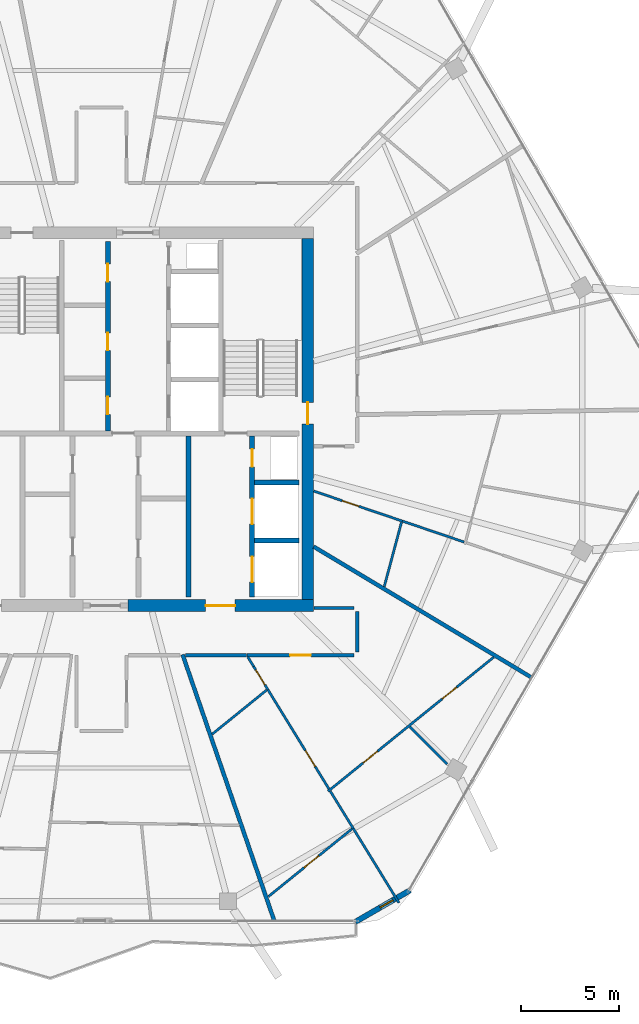
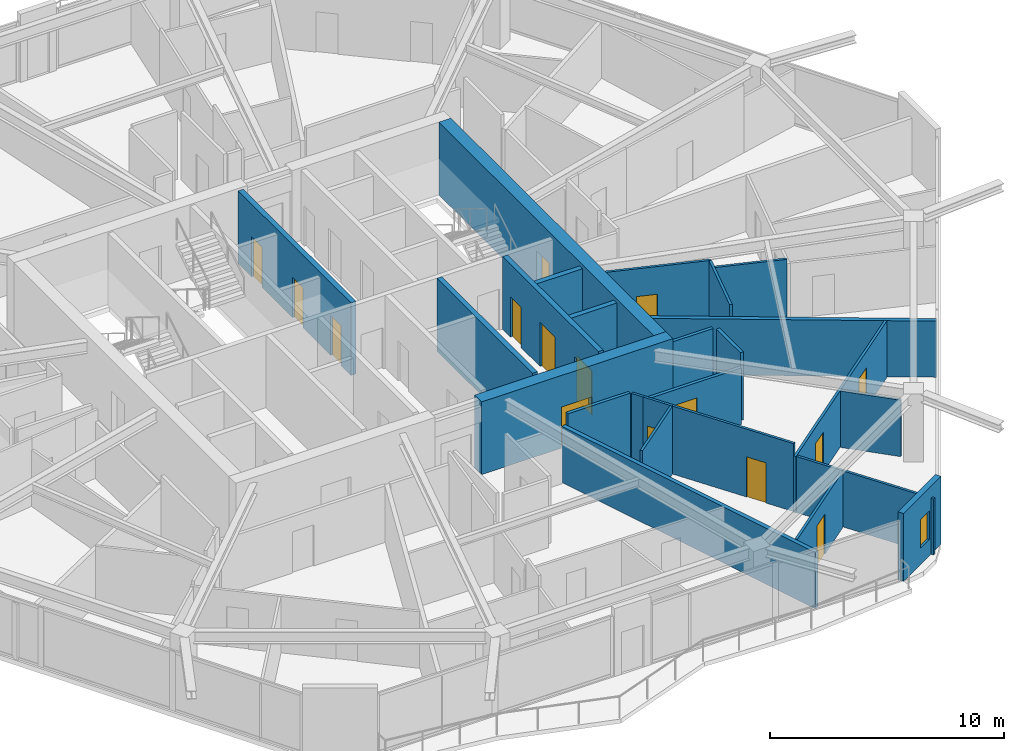
# One storey, part 21 of 26: 26 walls, 15 doors, 1 window, 16 openings.
"""IFC4 building model written with IfcOpenShell, lengths in metres."""

from ifc_helpers import new_model, si_unit, direction, frame, frame_2d, origin, place, context, subcontext, project, spatial, rectangle, extrude, material, layer, layer_set, type_object, element, fill, save


model = new_model("IFC4")

# Units and contexts
model_context = context("Model", 3, precision=1e-05, world=origin(), true_north=direction((0.0, 1.0)))
body_context = subcontext(model_context, "Body", "Model", "MODEL_VIEW")
ifc_project = project(units=[si_unit("LENGTHUNIT", "METRE"), si_unit("AREAUNIT", "SQUARE_METRE"), si_unit("VOLUMEUNIT", "CUBIC_METRE"), si_unit("PLANEANGLEUNIT", "RADIAN"), si_unit("MASSUNIT", "GRAM", prefix="KILO")], contexts=[model_context])

# Site, building, storey
site_placement = place(None, origin())
site = spatial("IfcSite", under=ifc_project, at=site_placement, CompositionType="ELEMENT")
building_placement = place(site_placement, origin())
building = spatial("IfcBuilding", under=site, at=building_placement, Name="Zuhravey Tower", CompositionType="ELEMENT")
storey_placement = place(building_placement, frame((0.0, 0.0, 288.199951171875)))
storey = spatial("IfcBuildingStorey", under=building, at=storey_placement, Name="L73", CompositionType="ELEMENT", Elevation=288.199951171875)

# Wall, opening, door
ifc_material_1 = material(Name="Concrete C50/60", Category="concrete")
ifc_layer_1 = layer(ifc_material_1, 0.60009765625)
ifc_layer_set_1 = layer_set([ifc_layer_1], Name="Concrete C50/60")
wall_type_1 = type_object("IfcWallType", Name="Core Shear Wall 600", PredefinedType="SHEAR", material=ifc_layer_set_1)
wall_1_placement = place(storey_placement, frame((37.35009765625, 22.5, 0.0), z_axis=(0.0, 0.0, 1.0), x_axis=(1.0, 0.0, 0.0)))
wall_1 = element("IfcWall", 1, at=wall_1_placement, inside=storey, type_object=wall_type_1, Name="L73 South-East Core Shear Wall CW60", PredefinedType="SHEAR", context=body_context, shape_type="SweptSolid", body=[
    extrude(rectangle(XDim=9.449951171875, YDim=0.60009765625, at=frame_2d((4.72509765625, 0.0))), origin(), (0.0, 0.0, 1.0), 3.800048828125),
])
opening_1_placement = place(wall_1_placement, frame((3.949951171875, 0.0, 0.0)))
opening_1 = element("IfcOpeningElement", 2, at=opening_1_placement, cuts=wall_1, Name="Opening FFD1", PredefinedType="OPENING", context=body_context, shape_type="SweptSolid", body=[
    extrude(rectangle(XDim=1.5, YDim=2.14990234375, at=frame_2d((0.75, 1.074951171875))), frame((0.0, 0.31201171875, 0.0), z_axis=(0.0, -1.0, 0.0), x_axis=(1.0, 0.0, 0.0)), (0.0, 0.0, 1.0), 0.6240234375),
])
ifc_material_2 = material(Name="Galvanised fire-rated steel leaf", Category="steel")
door_type_1 = type_object("IfcDoorType", Name="Firefighting Lobby Double Door 1500x2150", OperationType="DOUBLE_DOOR_SINGLE_SWING", PredefinedType="DOOR", material=ifc_material_2)
door_1_placement = place(opening_1_placement, origin())
door_1 = element("IfcDoor", 3, at=door_1_placement, inside=storey, type_object=door_type_1, Name="L73 Firefighting Lobby East Door", OperationType="DOUBLE_DOOR_SINGLE_SWING", OverallHeight=2.14990234375, OverallWidth=1.5, PredefinedType="DOOR", context=body_context, shape_type="SweptSolid", body=[
    extrude(rectangle(XDim=1.5, YDim=2.14990234375, at=frame_2d((0.75, 1.074951171875))), frame((0.0, 0.02490234375, 0.0), z_axis=(0.0, -1.0, 0.0), x_axis=(1.0, 0.0, 0.0)), (0.0, 0.0, 1.0), 0.050048828125),
])
fill(opening_1, door_1)

wall_2_placement = place(storey_placement, frame((46.5, 22.800048828125, 0.0), z_axis=(0.0, 0.0, 1.0), x_axis=(0.0, 1.0, 0.0)))
wall_2 = element("IfcWall", 4, at=wall_2_placement, inside=storey, type_object=wall_type_1, Name="L73 East Core Shear Wall CW60", PredefinedType="SHEAR", context=body_context, shape_type="SweptSolid", body=[
    extrude(rectangle(XDim=18.39990234375, YDim=0.60009765625, at=frame_2d((9.199951171875, 0.0))), origin(), (0.0, 0.0, 1.0), 3.800048828125),
])
opening_2_placement = place(wall_2_placement, frame((8.949951171875, 0.0, 0.0)))
opening_2 = element("IfcOpeningElement", 5, at=opening_2_placement, cuts=wall_2, Name="Opening STD1", PredefinedType="OPENING", context=body_context, shape_type="SweptSolid", body=[
    extrude(rectangle(XDim=1.10009765625, YDim=2.14990234375, at=frame_2d((0.550048828125, 1.074951171875))), frame((0.0, 0.31201171875, 0.0), z_axis=(0.0, -1.0, 0.0), x_axis=(1.0, 0.0, 0.0)), (0.0, 0.0, 1.0), 0.6240234375),
])
door_type_2 = type_object("IfcDoorType", Name="Protected Stair Fire Door 1100x2150", OperationType="NOTDEFINED", PredefinedType="USERDEFINED", material=ifc_material_2)
door_2_placement = place(opening_2_placement, origin())
door_2 = element("IfcDoor", 6, at=door_2_placement, inside=storey, type_object=door_type_2, Name="L73 Stair ST2 Door", ObjectType="EXITDOOR", OperationType="SINGLE_SWING_RIGHT", OverallHeight=2.14990234375, OverallWidth=1.10009765625, PredefinedType="USERDEFINED", context=body_context, shape_type="SweptSolid", body=[
    extrude(rectangle(XDim=1.10009765625, YDim=2.14990234375, at=frame_2d((0.550048828125, 1.074951171875))), frame((0.0, 0.02490234375, 0.0), z_axis=(0.0, -1.0, 0.0), x_axis=(1.0, 0.0, 0.0)), (0.0, 0.0, 1.0), 0.050048828125),
])
fill(opening_2, door_2)

ifc_material_3 = material(Name="Gypsum fire-rated stud partition")
ifc_layer_2 = layer(ifc_material_3, 0.159912109375)
ifc_layer_set_2 = layer_set([ifc_layer_2], Name="Gypsum fire-rated stud partition")
wall_type_2 = type_object("IfcWallType", Name="Corridor Fire Partition 160", PredefinedType="PARTITIONING", material=ifc_layer_set_2)
wall_3_placement = place(storey_placement, frame((43.42138671875, 19.969970703125, 0.0), z_axis=(0.0, 0.0, 1.0), x_axis=(1.0, 0.0, 0.0)))
wall_3 = element("IfcWall", 7, at=wall_3_placement, inside=storey, type_object=wall_type_2, Name="L73 IW16 Partition 042", PredefinedType="PARTITIONING", context=body_context, shape_type="SweptSolid", body=[
    extrude(rectangle(XDim=5.4287109375, YDim=0.159912109375, at=frame_2d((2.71435546875, 0.0))), origin(), (0.0, 0.0, 1.0), 2.949951171875),
])
opening_3_placement = place(wall_3_placement, frame((2.189208984375, 0.0, 0.0)))
opening_3 = element("IfcOpeningElement", 8, at=opening_3_placement, cuts=wall_3, Name="Opening APD1", PredefinedType="OPENING", context=body_context, shape_type="SweptSolid", body=[
    extrude(rectangle(XDim=1.050048828125, YDim=2.14990234375, at=frame_2d((0.52490234375, 1.074951171875))), frame((0.0, 0.092041015625, 0.0), z_axis=(0.0, -1.0, 0.0), x_axis=(1.0, 0.0, 0.0)), (0.0, 0.0, 1.0), 0.183837890625),
])
ifc_material_4 = material(Name="Solid-core oak fire-rated leaf")
door_type_3 = type_object("IfcDoorType", Name="Apartment Entrance Fire Door 1050x2150", OperationType="NOTDEFINED", PredefinedType="DOOR", material=ifc_material_4)
door_3_placement = place(opening_3_placement, frame((1.050048828125, 0.0, 0.0), z_axis=(0.0, 0.0, 1.0), x_axis=(-1.0, 0.0, 0.0)))
door_3 = element("IfcDoor", 9, at=door_3_placement, inside=storey, type_object=door_type_3, Name="L73 Door 042.1", OperationType="SINGLE_SWING_LEFT", OverallHeight=2.14990234375, OverallWidth=1.050048828125, PredefinedType="DOOR", context=body_context, shape_type="SweptSolid", body=[
    extrude(rectangle(XDim=1.050048828125, YDim=2.14990234375, at=frame_2d((0.52490234375, 1.074951171875))), frame((0.0, 0.02490234375, 0.0), z_axis=(0.0, -1.0, 0.0), x_axis=(1.0, 0.0, 0.0)), (0.0, 0.0, 1.0), 0.050048828125),
])
fill(opening_3, door_3)

# Walls
wall_4_placement = place(storey_placement, frame((49.030029296875, 20.14990234375, 0.0), z_axis=(0.0, 0.0, 1.0), x_axis=(0.0, 1.0, 0.0)))
element("IfcWall", 10, at=wall_4_placement, inside=storey, type_object=wall_type_2, Name="L73 IW16 Partition 119", PredefinedType="PARTITIONING", context=body_context, shape_type="SweptSolid", body=[
    extrude(rectangle(XDim=2.050048828125, YDim=0.159912109375, at=frame_2d((1.02490234375, 0.0))), origin(), (0.0, 0.0, 1.0), 3.550048828125),
])
wall_5_placement = place(storey_placement, frame((48.85009765625, 22.3798828125, 0.0), z_axis=(0.0, 0.0, 1.0), x_axis=(-1.0, 0.0, 0.0)))
element("IfcWall", 11, at=wall_5_placement, inside=storey, type_object=wall_type_2, Name="L73 IW16 Partition 120", PredefinedType="PARTITIONING", context=body_context, shape_type="SweptSolid", body=[
    extrude(rectangle(XDim=2.030029296875, YDim=0.159912109375, at=frame_2d((1.01513671875, 0.0))), origin(), (0.0, 0.0, 1.0), 3.550048828125),
])
wall_6_placement = place(storey_placement, frame((40.28125, 19.969970703125, 0.0), z_axis=(0.0, 0.0, 1.0), x_axis=(1.0, 0.0, 0.0)))
element("IfcWall", 12, at=wall_6_placement, inside=storey, type_object=wall_type_2, Name="L73 IW16 Partition 121", PredefinedType="PARTITIONING", context=body_context, shape_type="SweptSolid", body=[
    extrude(rectangle(XDim=3.09326171875, YDim=0.159912109375, at=frame_2d((1.546630859375, 0.0))), origin(), (0.0, 0.0, 1.0), 3.550048828125),
])

# Wall, opening, window
ifc_material_5 = material(Name="Precast concrete C40/50", Category="concrete")
ifc_layer_3 = layer(ifc_material_5, 0.280029296875)
ifc_layer_set_3 = layer_set([ifc_layer_3], Name="Precast concrete C40/50")
wall_type_3 = type_object("IfcWallType", Name="Crown Architectural Wall 280", PredefinedType="SOLIDWALL", material=ifc_layer_set_3)
wall_7_placement = place(storey_placement, frame((51.714599609375, 7.996337890625, 0.0), z_axis=(0.0, 0.0, 1.0), x_axis=(-0.866028773314, -0.499994163758, 0.0)))
wall_7 = element("IfcWall", 13, at=wall_7_placement, inside=storey, type_object=wall_type_3, Name="L73 Rounded Corner Closure Wall EW28-02", PredefinedType="SOLIDWALL", context=body_context, shape_type="SweptSolid", body=[
    extrude(rectangle(XDim=3.21484375, YDim=0.280029296875, at=frame_2d((1.607421875, 0.0))), origin(), (0.0, 0.0, 1.0), 3.550048828125),
])
opening_4_placement = place(wall_7_placement, frame((1.002685546875, 0.0, 0.85009765625)))
opening_4 = element("IfcOpeningElement", 14, at=opening_4_placement, cuts=wall_7, Name="Opening WN5", PredefinedType="OPENING", context=body_context, shape_type="SweptSolid", body=[
    extrude(rectangle(XDim=0.75, YDim=1.5, at=frame_2d((0.375, 0.75))), frame((0.0, 0.152099609375, 0.0), z_axis=(0.0, -1.0, 0.0), x_axis=(1.0, 0.0, 0.0)), (0.0, 0.0, 1.0), 0.303955078125),
])
ifc_material_6 = material(Name="Thermally broken aluminium and triple low-E glass", Category="aluminium")
window_type = type_object("IfcWindowType", Name="Residential Corner Casement Window 750x1500", PartitioningType="SINGLE_PANEL", PredefinedType="WINDOW", material=ifc_material_6)
window_placement = place(opening_4_placement, origin())
window = element("IfcWindow", 15, at=window_placement, inside=storey, type_object=window_type, Name="L73 Corner Casement Window WN5-02.1", OverallHeight=1.5, OverallWidth=0.75, PartitioningType="SINGLE_PANEL", PredefinedType="WINDOW", context=body_context, shape_type="SweptSolid", body=[
    extrude(rectangle(XDim=0.75, YDim=1.5, at=frame_2d((0.375, 0.75))), frame((0.0, 0.030029296875, 0.0), z_axis=(0.0, -1.0, 0.0), x_axis=(1.0, 0.0, 0.0)), (0.0, 0.0, 1.0), 0.06005859375),
])
fill(opening_4, window)

# Wall, openings, doors
ifc_layer_4 = layer(ifc_material_1, 0.25)
ifc_layer_set_4 = layer_set([ifc_layer_4], Name="Concrete C50/60")
wall_type_4 = type_object("IfcWallType", Name="Firefighting Shaft & Stair Wall 250", PredefinedType="SOLIDWALL", material=ifc_layer_set_4)
wall_8_placement = place(storey_placement, frame((36.324951171875, 31.39990234375, 0.0), z_axis=(0.0, 0.0, 1.0), x_axis=(0.0, 1.0, 0.0)))
wall_8 = element("IfcWall", 16, at=wall_8_placement, inside=storey, type_object=wall_type_4, Name="L73 FW25 Shaft Wall 007", PredefinedType="SOLIDWALL", context=body_context, shape_type="SweptSolid", body=[
    extrude(rectangle(XDim=9.650146484375, YDim=0.25, at=frame_2d((4.8251953125, 0.0))), origin(), (0.0, 0.0, 1.0), 3.800048828125),
])
opening_5_placement = place(wall_8_placement, frame((0.840087890625, 0.0, 0.0)))
opening_5 = element("IfcOpeningElement", 17, at=opening_5_placement, cuts=wall_8, Name="Opening RSD1", PredefinedType="OPENING", context=body_context, shape_type="SweptSolid", body=[
    extrude(rectangle(XDim=0.89990234375, YDim=2.10009765625, at=frame_2d((0.449951171875, 1.050048828125))), frame((0.0, 0.136962890625, 0.0), z_axis=(0.0, -1.0, 0.0), x_axis=(1.0, 0.0, 0.0)), (0.0, 0.0, 1.0), 0.27392578125),
])
opening_6_placement = place(wall_8_placement, frame((4.10009765625, 0.0, 0.0)))
opening_6 = element("IfcOpeningElement", 18, at=opening_6_placement, cuts=wall_8, Name="Opening RSD1", PredefinedType="OPENING", context=body_context, shape_type="SweptSolid", body=[
    extrude(rectangle(XDim=0.89990234375, YDim=2.10009765625, at=frame_2d((0.449951171875, 1.050048828125))), frame((0.0, 0.136962890625, 0.0), z_axis=(0.0, -1.0, 0.0), x_axis=(1.0, 0.0, 0.0)), (0.0, 0.0, 1.0), 0.27392578125),
])
opening_7_placement = place(wall_8_placement, frame((7.610107421875, 0.0, 0.0)))
opening_7 = element("IfcOpeningElement", 19, at=opening_7_placement, cuts=wall_8, Name="Opening RSD1", PredefinedType="OPENING", context=body_context, shape_type="SweptSolid", body=[
    extrude(rectangle(XDim=0.89990234375, YDim=2.10009765625, at=frame_2d((0.449951171875, 1.050048828125))), frame((0.0, 0.136962890625, 0.0), z_axis=(0.0, -1.0, 0.0), x_axis=(1.0, 0.0, 0.0)), (0.0, 0.0, 1.0), 0.27392578125),
])
ifc_material_7 = material(Name="Galvanised fire-rated steel access leaf", Category="steel")
door_type_4 = type_object("IfcDoorType", Name="Riser & Shaft Access Fire Door 900x2100", OperationType="NOTDEFINED", PredefinedType="DOOR", material=ifc_material_7)
door_4_placement = place(opening_5_placement, origin())
door_4 = element("IfcDoor", 20, at=door_4_placement, inside=storey, type_object=door_type_4, Name="L73 Core Staff WC Door", OperationType="SINGLE_SWING_LEFT", OverallHeight=2.10009765625, OverallWidth=0.89990234375, PredefinedType="DOOR", context=body_context, shape_type="SweptSolid", body=[
    extrude(rectangle(XDim=0.89990234375, YDim=2.10009765625, at=frame_2d((0.449951171875, 1.050048828125))), frame((0.0, 0.02490234375, 0.0), z_axis=(0.0, -1.0, 0.0), x_axis=(1.0, 0.0, 0.0)), (0.0, 0.0, 1.0), 0.050048828125),
])
fill(opening_5, door_4)
door_5_placement = place(opening_6_placement, origin())
door_5 = element("IfcDoor", 21, at=door_5_placement, inside=storey, type_object=door_type_4, Name="L73 IT and Comms Room Door", OperationType="SINGLE_SWING_RIGHT", OverallHeight=2.10009765625, OverallWidth=0.89990234375, PredefinedType="DOOR", context=body_context, shape_type="SweptSolid", body=[
    extrude(rectangle(XDim=0.89990234375, YDim=2.10009765625, at=frame_2d((0.449951171875, 1.050048828125))), frame((0.0, 0.02490234375, 0.0), z_axis=(0.0, -1.0, 0.0), x_axis=(1.0, 0.0, 0.0)), (0.0, 0.0, 1.0), 0.050048828125),
])
fill(opening_6, door_5)
door_6_placement = place(opening_7_placement, origin())
door_6 = element("IfcDoor", 22, at=door_6_placement, inside=storey, type_object=door_type_4, Name="L73 Janitor Linen Store Door", OperationType="SINGLE_SWING_LEFT", OverallHeight=2.10009765625, OverallWidth=0.89990234375, PredefinedType="DOOR", context=body_context, shape_type="SweptSolid", body=[
    extrude(rectangle(XDim=0.89990234375, YDim=2.10009765625, at=frame_2d((0.449951171875, 1.050048828125))), frame((0.0, 0.02490234375, 0.0), z_axis=(0.0, -1.0, 0.0), x_axis=(1.0, 0.0, 0.0)), (0.0, 0.0, 1.0), 0.050048828125),
])
fill(opening_7, door_6)

# Walls
wall_9_placement = place(storey_placement, frame((40.425048828125, 22.949951171875, 0.0), z_axis=(0.0, 0.0, 1.0), x_axis=(0.0, 1.0, 0.0)))
element("IfcWall", 23, at=wall_9_placement, inside=storey, type_object=wall_type_4, Name="L73 FW25 Shaft Wall 016", PredefinedType="SOLIDWALL", context=body_context, shape_type="SweptSolid", body=[
    extrude(rectangle(XDim=8.199951171875, YDim=0.25, at=frame_2d((4.10009765625, 0.0))), origin(), (0.0, 0.0, 1.0), 3.800048828125),
])
for number, where, z_axis, x_axis, name in (
    (24, (43.800048828125, 25.824951171875, 0.0), (0.0, 0.0, 1.0), (1.0, 0.0, 0.0), "L73 FW25 Shaft Wall 017"),
    (25, (43.800048828125, 28.77490234375, 0.0), (0.0, 0.0, 1.0), (1.0, 0.0, 0.0), "L73 FW25 Shaft Wall 018"),
):
    element("IfcWall", number, at=place(storey_placement, frame(where, z_axis=z_axis, x_axis=x_axis)), inside=storey, type_object=wall_type_4, Name=name, PredefinedType="SOLIDWALL", context=body_context, shape_type="SweptSolid", body=[
        extrude(rectangle(XDim=2.25, YDim=0.25, at=frame_2d((1.125, 0.0))), origin(), (0.0, 0.0, 1.0), 3.800048828125),
    ])

# Wall, openings, doors
wall_10_placement = place(storey_placement, frame((43.675048828125, 22.949951171875, 0.0), z_axis=(0.0, 0.0, 1.0), x_axis=(0.0, 1.0, 0.0)))
wall_10 = element("IfcWall", 26, at=wall_10_placement, inside=storey, type_object=wall_type_4, Name="L73 FW25 Shaft Wall 019", PredefinedType="SOLIDWALL", context=body_context, shape_type="SweptSolid", body=[
    extrude(rectangle(XDim=8.199951171875, YDim=0.25, at=frame_2d((4.10009765625, 0.0))), origin(), (0.0, 0.0, 1.0), 3.800048828125),
])
opening_8_placement = place(wall_10_placement, frame((0.75, 0.0, 0.0)))
opening_8 = element("IfcOpeningElement", 27, at=opening_8_placement, cuts=wall_10, Name="Opening LD2", PredefinedType="OPENING", context=body_context, shape_type="SweptSolid", body=[
    extrude(rectangle(XDim=1.300048828125, YDim=2.300048828125, at=frame_2d((0.64990234375, 1.14990234375))), frame((0.0, 0.136962890625, 0.0), z_axis=(0.0, -1.0, 0.0), x_axis=(1.0, 0.0, 0.0)), (0.0, 0.0, 1.0), 0.27392578125),
])
opening_9_placement = place(wall_10_placement, frame((3.699951171875, 0.0, 0.0)))
opening_9 = element("IfcOpeningElement", 28, at=opening_9_placement, cuts=wall_10, Name="Opening LD2", PredefinedType="OPENING", context=body_context, shape_type="SweptSolid", body=[
    extrude(rectangle(XDim=1.300048828125, YDim=2.300048828125, at=frame_2d((0.64990234375, 1.14990234375))), frame((0.0, 0.136962890625, 0.0), z_axis=(0.0, -1.0, 0.0), x_axis=(1.0, 0.0, 0.0)), (0.0, 0.0, 1.0), 0.27392578125),
])
opening_10_placement = place(wall_10_placement, frame((6.6201171875, 0.0, 0.0)))
opening_10 = element("IfcOpeningElement", 29, at=opening_10_placement, cuts=wall_10, Name="Opening RSD1", PredefinedType="OPENING", context=body_context, shape_type="SweptSolid", body=[
    extrude(rectangle(XDim=0.89990234375, YDim=2.10009765625, at=frame_2d((0.449951171875, 1.050048828125))), frame((0.0, 0.136962890625, 0.0), z_axis=(0.0, -1.0, 0.0), x_axis=(1.0, 0.0, 0.0)), (0.0, 0.0, 1.0), 0.27392578125),
])
ifc_material_8 = material(Name="Brushed stainless steel", Category="steel")
door_type_5 = type_object("IfcDoorType", Name="Freight & Stretcher Lift Sliding Door 1300x2300", OperationType="DOUBLE_DOOR_SLIDING", PredefinedType="DOOR", material=ifc_material_8)
door_7_placement = place(opening_8_placement, origin())
door_7 = element("IfcDoor", 30, at=door_7_placement, inside=storey, type_object=door_type_5, Name="L73 Lift FF2 Landing Door", OperationType="DOUBLE_DOOR_SLIDING", OverallHeight=2.300048828125, OverallWidth=1.300048828125, PredefinedType="DOOR", context=body_context, shape_type="SweptSolid", body=[
    extrude(rectangle(XDim=1.300048828125, YDim=2.300048828125, at=frame_2d((0.64990234375, 1.14990234375))), frame((0.0, 0.02490234375, 0.0), z_axis=(0.0, -1.0, 0.0), x_axis=(1.0, 0.0, 0.0)), (0.0, 0.0, 1.0), 0.050048828125),
])
fill(opening_8, door_7)
door_8_placement = place(opening_9_placement, origin())
door_8 = element("IfcDoor", 31, at=door_8_placement, inside=storey, type_object=door_type_5, Name="L73 Lift SV1 Landing Door", OperationType="DOUBLE_DOOR_SLIDING", OverallHeight=2.300048828125, OverallWidth=1.300048828125, PredefinedType="DOOR", context=body_context, shape_type="SweptSolid", body=[
    extrude(rectangle(XDim=1.300048828125, YDim=2.300048828125, at=frame_2d((0.64990234375, 1.14990234375))), frame((0.0, 0.02490234375, 0.0), z_axis=(0.0, -1.0, 0.0), x_axis=(1.0, 0.0, 0.0)), (0.0, 0.0, 1.0), 0.050048828125),
])
fill(opening_9, door_8)
door_9_placement = place(opening_10_placement, origin())
door_9 = element("IfcDoor", 32, at=door_9_placement, inside=storey, type_object=door_type_4, Name="L73 Plumbing Riser Door", OperationType="SINGLE_SWING_LEFT", OverallHeight=2.10009765625, OverallWidth=0.89990234375, PredefinedType="DOOR", context=body_context, shape_type="SweptSolid", body=[
    extrude(rectangle(XDim=0.89990234375, YDim=2.10009765625, at=frame_2d((0.449951171875, 1.050048828125))), frame((0.0, 0.02490234375, 0.0), z_axis=(0.0, -1.0, 0.0), x_axis=(1.0, 0.0, 0.0)), (0.0, 0.0, 1.0), 0.050048828125),
])
fill(opening_10, door_9)

# Walls
ifc_material_9 = material(Name="Gypsum double-stud party assembly")
ifc_layer_5 = layer(ifc_material_9, 0.199951171875)
ifc_layer_set_5 = layer_set([ifc_layer_5], Name="Gypsum double-stud party assembly")
wall_type_5 = type_object("IfcWallType", Name="Inter-Tenancy Party Wall 200", PredefinedType="PARTITIONING", material=ifc_layer_set_5)
wall_11_placement = place(storey_placement, frame((40.12841796875, 20.010009765625, 0.0), z_axis=(0.0, 0.0, 1.0), x_axis=(0.325569269748, -0.945518191573, 0.0)))
element("IfcWall", 33, at=wall_11_placement, inside=storey, type_object=wall_type_5, Name="L73 IW20 Partition 084", PredefinedType="PARTITIONING", context=body_context, shape_type="SweptSolid", body=[
    extrude(rectangle(XDim=14.35595703125, YDim=0.199951171875, at=frame_2d((7.177978515625, 0.0))), origin(), (0.0, 0.0, 1.0), 2.929931640625),
])
wall_12_placement = place(storey_placement, frame((46.80810546875, 25.505859375, 0.0), z_axis=(0.0, 0.0, 1.0), x_axis=(0.85716526059, -0.515041470212, 0.0)))
element("IfcWall", 34, at=wall_12_placement, inside=storey, type_object=wall_type_5, Name="L73 IW20 Partition 089", PredefinedType="PARTITIONING", context=body_context, shape_type="SweptSolid", body=[
    extrude(rectangle(XDim=12.958251953125, YDim=0.199951171875, at=frame_2d((6.47900390625, 0.0))), origin(), (0.0, 0.0, 1.0), 2.929931640625),
])

# Wall, openings, doors
ifc_material_10 = material(Name="Gypsum metal-stud partition")
ifc_layer_6 = layer(ifc_material_10, 0.1201171875)
ifc_layer_set_6 = layer_set([ifc_layer_6], Name="Gypsum metal-stud partition")
wall_type_6 = type_object("IfcWallType", Name="Unit Internal Partition 120", PredefinedType="PARTITIONING", material=ifc_layer_set_6)
wall_13_placement = place(storey_placement, frame((47.54150390625, 13.04150390625, 0.0), z_axis=(0.0, 0.0, 1.0), x_axis=(0.777147459209, 0.629318541476, 0.0)))
wall_13 = element("IfcWall", 35, at=wall_13_placement, inside=storey, type_object=wall_type_6, Name="L73 IW12 Partition 037", PredefinedType="PARTITIONING", context=body_context, shape_type="SweptSolid", body=[
    extrude(rectangle(XDim=10.85693359375, YDim=0.1201171875, at=frame_2d((5.428466796875, 0.0))), origin(), (0.0, 0.0, 1.0), 2.949951171875),
])
opening_11_placement = place(wall_13_placement, frame((2.291259765625, 0.0, 0.0)))
opening_11 = element("IfcOpeningElement", 36, at=opening_11_placement, cuts=wall_13, Name="Opening IND1", PredefinedType="OPENING", context=body_context, shape_type="SweptSolid", body=[
    extrude(rectangle(XDim=0.949951171875, YDim=2.10009765625, at=frame_2d((0.47509765625, 1.050048828125))), frame((0.0, 0.072021484375, 0.0), z_axis=(0.0, -1.0, 0.0), x_axis=(1.0, 0.0, 0.0)), (0.0, 0.0, 1.0), 0.14404296875),
])
opening_12_placement = place(wall_13_placement, frame((7.479248046875, 0.0, 0.0)))
opening_12 = element("IfcOpeningElement", 37, at=opening_12_placement, cuts=wall_13, Name="Opening IND1", PredefinedType="OPENING", context=body_context, shape_type="SweptSolid", body=[
    extrude(rectangle(XDim=0.949951171875, YDim=2.10009765625, at=frame_2d((0.47509765625, 1.050048828125))), frame((0.0, 0.072021484375, 0.0), z_axis=(0.0, -1.0, 0.0), x_axis=(1.0, 0.0, 0.0)), (0.0, 0.0, 1.0), 0.14404296875),
])
ifc_material_11 = material(Name="Painted engineered timber leaf", Category="wood")
door_type_6 = type_object("IfcDoorType", Name="Internal Room & Bedroom Door 950x2100", OperationType="NOTDEFINED", PredefinedType="DOOR", material=ifc_material_11)
door_10_placement = place(opening_11_placement, frame((0.949951171875, 0.0, 0.0), z_axis=(0.0, 0.0, 1.0), x_axis=(-1.0, 0.0, 0.0)))
door_10 = element("IfcDoor", 38, at=door_10_placement, inside=storey, type_object=door_type_6, Name="Apartment L73-04 Family Study Door", OperationType="SINGLE_SWING_RIGHT", OverallHeight=2.10009765625, OverallWidth=0.949951171875, PredefinedType="DOOR", context=body_context, shape_type="SweptSolid", body=[
    extrude(rectangle(XDim=0.949951171875, YDim=2.10009765625, at=frame_2d((0.47509765625, 1.050048828125))), frame((0.0, 0.02490234375, 0.0), z_axis=(0.0, -1.0, 0.0), x_axis=(1.0, 0.0, 0.0)), (0.0, 0.0, 1.0), 0.050048828125),
])
fill(opening_11, door_10)
door_11_placement = place(opening_12_placement, frame((0.949951171875, 0.0, 0.0), z_axis=(0.0, 0.0, 1.0), x_axis=(-1.0, 0.0, 0.0)))
door_11 = element("IfcDoor", 39, at=door_11_placement, inside=storey, type_object=door_type_6, Name="Apartment L73-04 Dining Room Door", OperationType="SINGLE_SWING_LEFT", OverallHeight=2.10009765625, OverallWidth=0.949951171875, PredefinedType="DOOR", context=body_context, shape_type="SweptSolid", body=[
    extrude(rectangle(XDim=0.949951171875, YDim=2.10009765625, at=frame_2d((0.47509765625, 1.050048828125))), frame((0.0, 0.02490234375, 0.0), z_axis=(0.0, -1.0, 0.0), x_axis=(1.0, 0.0, 0.0)), (0.0, 0.0, 1.0), 0.050048828125),
])
fill(opening_12, door_11)

# Wall, opening, door
wall_14_placement = place(storey_placement, frame((43.74853515625, 19.39990234375, 0.0), z_axis=(0.0, 0.0, 1.0), x_axis=(0.523959986515, -0.851742879355, 0.0)))
wall_14 = element("IfcWall", 40, at=wall_14_placement, inside=storey, type_object=wall_type_6, Name="L73 IW12 Partition 038", PredefinedType="PARTITIONING", context=body_context, shape_type="SweptSolid", body=[
    extrude(rectangle(XDim=1.3876953125, YDim=0.1201171875, at=frame_2d((0.69384765625, 0.0))), origin(), (0.0, 0.0, 1.0), 3.550048828125),
])
opening_13_placement = place(wall_14_placement, frame((0.199951171875, 0.0, 0.0)))
opening_13 = element("IfcOpeningElement", 41, at=opening_13_placement, cuts=wall_14, Name="Opening WCD1", PredefinedType="OPENING", context=body_context, shape_type="SweptSolid", body=[
    extrude(rectangle(XDim=0.89990234375, YDim=2.10009765625, at=frame_2d((0.449951171875, 1.050048828125))), frame((0.0, 0.072021484375, 0.0), z_axis=(0.0, -1.0, 0.0), x_axis=(1.0, 0.0, 0.0)), (0.0, 0.0, 1.0), 0.14404296875),
])
ifc_material_12 = material(Name="Moisture-resistant timber leaf", Category="wood")
door_type_7 = type_object("IfcDoorType", Name="Bathroom & WC Internal Door 900x2100", OperationType="NOTDEFINED", PredefinedType="DOOR", material=ifc_material_12)
door_12_placement = place(opening_13_placement, frame((0.89990234375, 0.0, 0.0), z_axis=(0.0, 0.0, 1.0), x_axis=(-1.0, 0.0, 0.0)))
door_12 = element("IfcDoor", 42, at=door_12_placement, inside=storey, type_object=door_type_7, Name="Apartment L73-04 Bathroom Door", OperationType="SINGLE_SWING_RIGHT", OverallHeight=2.10009765625, OverallWidth=0.89990234375, PredefinedType="DOOR", context=body_context, shape_type="SweptSolid", body=[
    extrude(rectangle(XDim=0.89990234375, YDim=2.10009765625, at=frame_2d((0.449951171875, 1.050048828125))), frame((0.0, 0.02490234375, 0.0), z_axis=(0.0, -1.0, 0.0), x_axis=(1.0, 0.0, 0.0)), (0.0, 0.0, 1.0), 0.050048828125),
])
fill(opening_13, door_12)

wall_15_placement = place(storey_placement, frame((44.4755859375, 18.218017578125, 0.0), z_axis=(0.0, 0.0, 1.0), x_axis=(0.523831119105, -0.851822140272, 0.0)))
wall_15 = element("IfcWall", 43, at=wall_15_placement, inside=storey, type_object=wall_type_6, Name="L73 IW12 Partition 039", PredefinedType="PARTITIONING", context=body_context, shape_type="SweptSolid", body=[
    extrude(rectangle(XDim=5.93408203125, YDim=0.1201171875, at=frame_2d((2.967041015625, 0.0))), origin(), (0.0, 0.0, 1.0), 3.550048828125),
])
opening_14_placement = place(wall_15_placement, frame((3.650390625, 0.0, 0.0)))
opening_14 = element("IfcOpeningElement", 44, at=opening_14_placement, cuts=wall_15, Name="Opening IND1", PredefinedType="OPENING", context=body_context, shape_type="SweptSolid", body=[
    extrude(rectangle(XDim=0.949951171875, YDim=2.10009765625, at=frame_2d((0.47509765625, 1.050048828125))), frame((0.0, 0.072021484375, 0.0), z_axis=(0.0, -1.0, 0.0), x_axis=(1.0, 0.0, 0.0)), (0.0, 0.0, 1.0), 0.14404296875),
])
door_13_placement = place(opening_14_placement, frame((0.949951171875, 0.0, 0.0), z_axis=(0.0, 0.0, 1.0), x_axis=(-1.0, 0.0, 0.0)))
door_13 = element("IfcDoor", 45, at=door_13_placement, inside=storey, type_object=door_type_6, Name="Apartment L73-04 Home Office Door", OperationType="SINGLE_SWING_LEFT", OverallHeight=2.10009765625, OverallWidth=0.949951171875, PredefinedType="DOOR", context=body_context, shape_type="SweptSolid", body=[
    extrude(rectangle(XDim=0.949951171875, YDim=2.10009765625, at=frame_2d((0.47509765625, 1.050048828125))), frame((0.0, 0.02490234375, 0.0), z_axis=(0.0, -1.0, 0.0), x_axis=(1.0, 0.0, 0.0)), (0.0, 0.0, 1.0), 0.050048828125),
])
fill(opening_14, door_13)

# Wall
wall_16_placement = place(storey_placement, frame((47.65576171875, 13.04638671875, 0.0), z_axis=(0.0, 0.0, 1.0), x_axis=(0.523853024062, -0.851808669351, 0.0)))
element("IfcWall", 46, at=wall_16_placement, inside=storey, type_object=wall_type_6, Name="L73 IW12 Partition 040", PredefinedType="PARTITIONING", context=body_context, shape_type="SweptSolid", body=[
    extrude(rectangle(XDim=2.2294921875, YDim=0.1201171875, at=frame_2d((1.11474609375, 0.0))), origin(), (0.0, 0.0, 1.0), 2.929931640625),
])

# Wall, opening, door
wall_17_placement = place(storey_placement, frame((44.505126953125, 7.682373046875, 0.0), z_axis=(0.0, 0.0, 1.0), x_axis=(0.777150298317, 0.629315035436, 0.0)))
wall_17 = element("IfcWall", 47, at=wall_17_placement, inside=storey, type_object=wall_type_6, Name="L73 IW12 Partition 041", PredefinedType="PARTITIONING", context=body_context, shape_type="SweptSolid", body=[
    extrude(rectangle(XDim=5.47119140625, YDim=0.1201171875, at=frame_2d((2.735595703125, 0.0))), origin(), (0.0, 0.0, 1.0), 2.929931640625),
])
opening_15_placement = place(wall_17_placement, frame((2.345458984375, 0.0, 0.0)))
opening_15 = element("IfcOpeningElement", 48, at=opening_15_placement, cuts=wall_17, Name="Opening IND1", PredefinedType="OPENING", context=body_context, shape_type="SweptSolid", body=[
    extrude(rectangle(XDim=0.949951171875, YDim=2.10009765625, at=frame_2d((0.47509765625, 1.050048828125))), frame((0.0, 0.072021484375, 0.0), z_axis=(0.0, -1.0, 0.0), x_axis=(1.0, 0.0, 0.0)), (0.0, 0.0, 1.0), 0.14404296875),
])
door_14_placement = place(opening_15_placement, frame((0.949951171875, 0.0, 0.0), z_axis=(0.0, 0.0, 1.0), x_axis=(-1.0, 0.0, 0.0)))
door_14 = element("IfcDoor", 49, at=door_14_placement, inside=storey, type_object=door_type_6, Name="Apartment L73-04 Bedroom 1 Door", OperationType="SINGLE_SWING_RIGHT", OverallHeight=2.10009765625, OverallWidth=0.949951171875, PredefinedType="DOOR", context=body_context, shape_type="SweptSolid", body=[
    extrude(rectangle(XDim=0.949951171875, YDim=2.10009765625, at=frame_2d((0.47509765625, 1.050048828125))), frame((0.0, 0.02490234375, 0.0), z_axis=(0.0, -1.0, 0.0), x_axis=(1.0, 0.0, 0.0)), (0.0, 0.0, 1.0), 0.050048828125),
])
fill(opening_15, door_14)

wall_18_placement = place(storey_placement, frame((46.80810546875, 28.33740234375, 0.0), z_axis=(0.0, 0.0, 1.0), x_axis=(0.947109682019, -0.320910034474, 0.0)))
wall_18 = element("IfcWall", 50, at=wall_18_placement, inside=storey, type_object=wall_type_6, Name="L73 IW12 Partition 044", PredefinedType="PARTITIONING", context=body_context, shape_type="SweptSolid", body=[
    extrude(rectangle(XDim=4.76708984375, YDim=0.1201171875, at=frame_2d((2.383544921875, 0.0))), origin(), (0.0, 0.0, 1.0), 3.550048828125),
])
opening_16_placement = place(wall_18_placement, frame((1.53271484375, 0.0, 0.0)))
opening_16 = element("IfcOpeningElement", 51, at=opening_16_placement, cuts=wall_18, Name="Opening WCD1", PredefinedType="OPENING", context=body_context, shape_type="SweptSolid", body=[
    extrude(rectangle(XDim=0.89990234375, YDim=2.10009765625, at=frame_2d((0.449951171875, 1.050048828125))), frame((0.0, 0.072021484375, 0.0), z_axis=(0.0, -1.0, 0.0), x_axis=(1.0, 0.0, 0.0)), (0.0, 0.0, 1.0), 0.14404296875),
])
door_15_placement = place(opening_16_placement, frame((0.89990234375, 0.0, 0.0), z_axis=(0.0, 0.0, 1.0), x_axis=(-1.0, 0.0, 0.0)))
door_15 = element("IfcDoor", 52, at=door_15_placement, inside=storey, type_object=door_type_7, Name="Apartment L73-05 Bathroom Door", OperationType="SINGLE_SWING_RIGHT", OverallHeight=2.10009765625, OverallWidth=0.89990234375, PredefinedType="DOOR", context=body_context, shape_type="SweptSolid", body=[
    extrude(rectangle(XDim=0.89990234375, YDim=2.10009765625, at=frame_2d((0.449951171875, 1.050048828125))), frame((0.0, 0.02490234375, 0.0), z_axis=(0.0, -1.0, 0.0), x_axis=(1.0, 0.0, 0.0)), (0.0, 0.0, 1.0), 0.050048828125),
])
fill(opening_16, door_15)

# Walls
wall_19_placement = place(storey_placement, frame((51.322998046875, 26.8076171875, 0.0), z_axis=(0.0, 0.0, 1.0), x_axis=(0.947092742831, -0.320960023175, 0.0)))
element("IfcWall", 53, at=wall_19_placement, inside=storey, type_object=wall_type_6, Name="L73 IW12 Partition 045", PredefinedType="PARTITIONING", context=body_context, shape_type="SweptSolid", body=[
    extrude(rectangle(XDim=3.324951171875, YDim=0.1201171875, at=frame_2d((1.66259765625, 0.0))), origin(), (0.0, 0.0, 1.0), 3.150146484375),
])
wall_20_placement = place(storey_placement, frame((51.701904296875, 16.322998046875, 0.0), z_axis=(0.0, 0.0, 1.0), x_axis=(0.707607548717, -0.706605658765, 0.0)))
element("IfcWall", 54, at=wall_20_placement, inside=storey, type_object=wall_type_6, Name="L73 IW12 Partition 085", PredefinedType="PARTITIONING", context=body_context, shape_type="SweptSolid", body=[
    extrude(rectangle(XDim=2.680419921875, YDim=0.1201171875, at=frame_2d((1.34033203125, 0.0))), origin(), (0.0, 0.0, 1.0), 2.949951171875),
])
wall_21_placement = place(storey_placement, frame((43.4521484375, 19.882080078125, 0.0), z_axis=(0.0, 0.0, 1.0), x_axis=(0.52366415223, -0.851924794609, 0.0)))
element("IfcWall", 55, at=wall_21_placement, inside=storey, type_object=wall_type_6, Name="L73 IW12 Partition 086", PredefinedType="PARTITIONING", context=body_context, shape_type="SweptSolid", body=[
    extrude(rectangle(XDim=0.56591796875, YDim=0.1201171875, at=frame_2d((0.282958984375, 0.0))), origin(), (0.0, 0.0, 1.0), 3.550048828125),
])
wall_22_placement = place(storey_placement, frame((48.82373046875, 11.147216796875, 0.0), z_axis=(0.0, 0.0, 1.0), x_axis=(0.523827692324, -0.851824247574, 0.0)))
element("IfcWall", 56, at=wall_22_placement, inside=storey, type_object=wall_type_6, Name="L73 IW12 Partition 087", PredefinedType="PARTITIONING", context=body_context, shape_type="SweptSolid", body=[
    extrude(rectangle(XDim=4.4443359375, YDim=0.1201171875, at=frame_2d((2.22216796875, 0.0))), origin(), (0.0, 0.0, 1.0), 2.929931640625),
])
wall_23_placement = place(storey_placement, frame((41.639404296875, 15.95361328125, 0.0), z_axis=(0.0, 0.0, 1.0), x_axis=(0.777152329868, 0.629312526636, 0.0)))
element("IfcWall", 57, at=wall_23_placement, inside=storey, type_object=wall_type_6, Name="L73 IW12 Partition 088", PredefinedType="PARTITIONING", context=body_context, shape_type="SweptSolid", body=[
    extrude(rectangle(XDim=3.563720703125, YDim=0.1201171875, at=frame_2d((1.78173828125, 0.0))), origin(), (0.0, 0.0, 1.0), 3.550048828125),
])
wall_24_placement = place(storey_placement, frame((50.4033203125, 23.4716796875, 0.0), z_axis=(0.0, 0.0, 1.0), x_axis=(0.25876844848, 0.965939382193, 0.0)))
element("IfcWall", 58, at=wall_24_placement, inside=storey, type_object=wall_type_6, Name="L73 IW12 Partition 091", PredefinedType="PARTITIONING", context=body_context, shape_type="SweptSolid", body=[
    extrude(rectangle(XDim=3.3935546875, YDim=0.1201171875, at=frame_2d((1.69677734375, 0.0))), origin(), (0.0, 0.0, 1.0), 3.550048828125),
])

save(model, "model.ifc")
